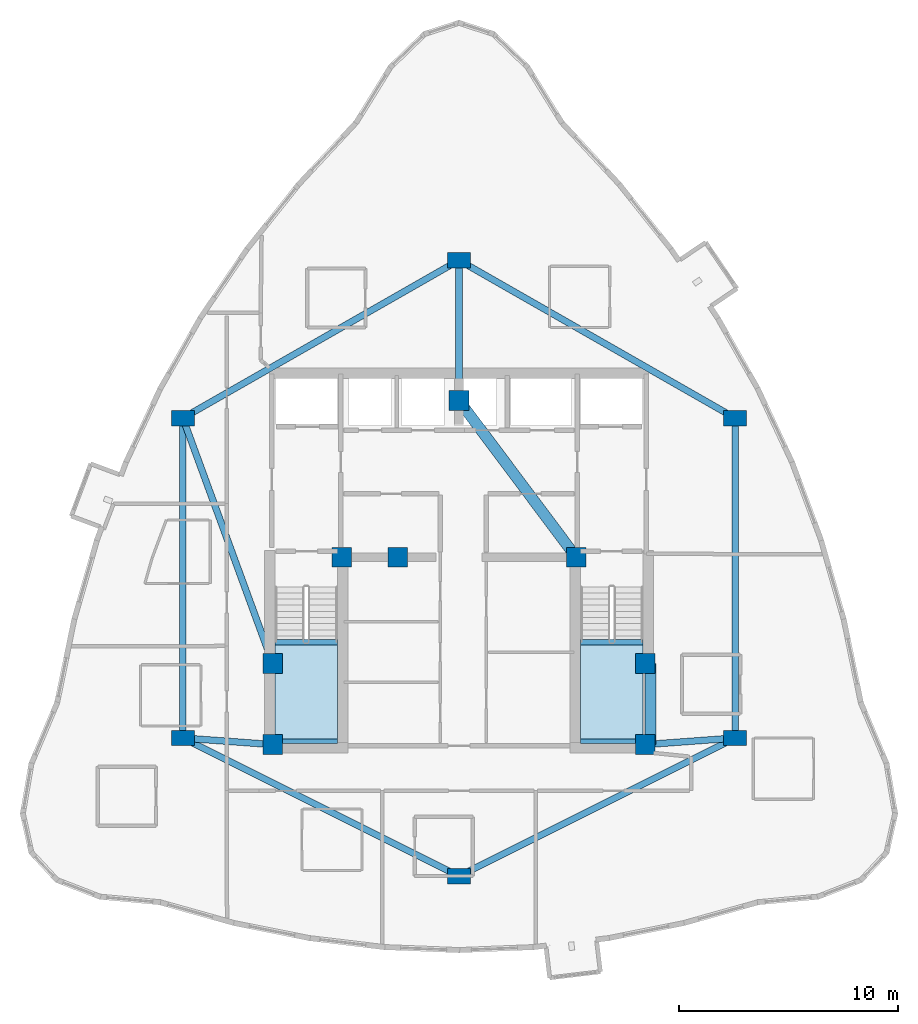
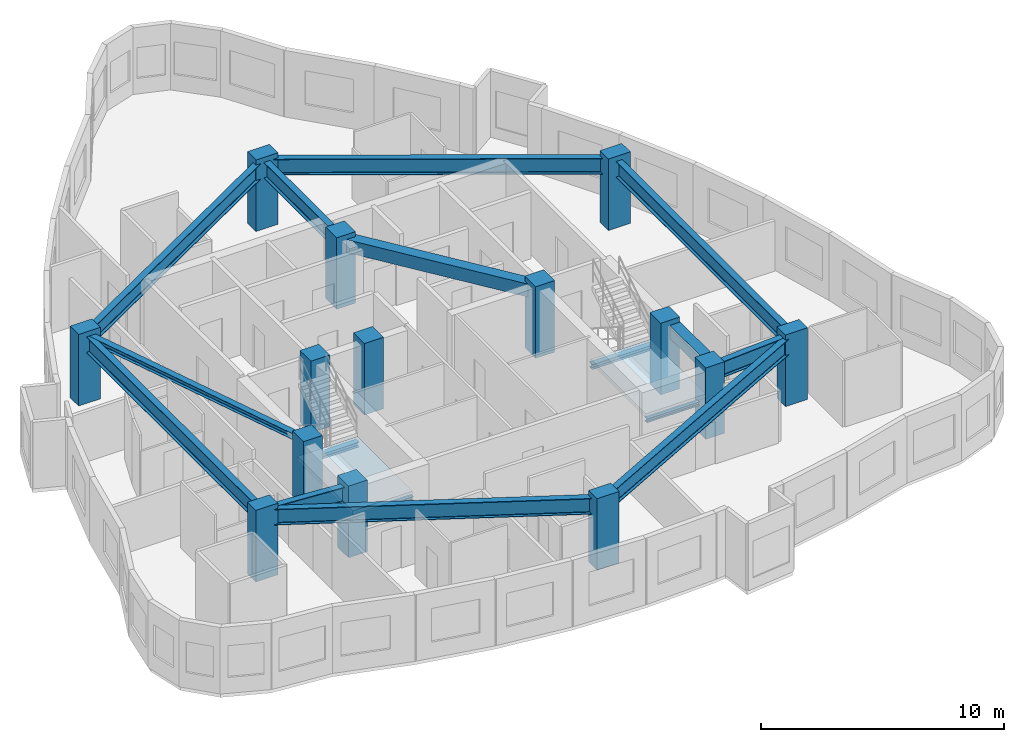
# One storey, part 1 of 9: 16 beams, 14 columns, 2 slabs, 2 elements without a shape of their own.
"""IFC4 building model written with IfcOpenShell, lengths in metres."""

from ifc_helpers import new_model, si_unit, direction, frame, origin, origin_2d, place, context, subcontext, project, spatial, polyline, rectangle, i_section, outline, extrude, material, layer, layer_set, material_profile, profile_set, type_object, element, aggregate, save


model = new_model("IFC4")

# Units and contexts
model_context = context("Model", 3, precision=1e-05, world=origin(), true_north=direction((0.0, 1.0)))
body_context = subcontext(model_context, "Body", "Model", "MODEL_VIEW")
ifc_project = project(units=[si_unit("LENGTHUNIT", "METRE"), si_unit("AREAUNIT", "SQUARE_METRE"), si_unit("VOLUMEUNIT", "CUBIC_METRE"), si_unit("PLANEANGLEUNIT", "RADIAN"), si_unit("MASSUNIT", "GRAM", prefix="KILO")], contexts=[model_context])

# Site, building, storey
site_placement = place(None, origin())
site = spatial("IfcSite", under=ifc_project, at=site_placement, CompositionType="ELEMENT")
building_placement = place(site_placement, origin())
building = spatial("IfcBuilding", under=site, at=building_placement, Name="Miruveldt Soraemaru", CompositionType="ELEMENT")
storey_placement = place(building_placement, frame((0.0, 0.0, 241.199951171875)))
storey = spatial("IfcBuildingStorey", under=building, at=storey_placement, Name="L66", CompositionType="ELEMENT", Elevation=241.199951171875)

# Columns
ifc_material_1 = material(Name="Concrete C50/60 (50 MPa)", Category="concrete")
ifc_material_profile_1 = material_profile(ifc_material_1, rectangle(XDim=0.89990234375, YDim=0.89990234375, at=origin_2d()), Name="Concrete C50/60 (50 MPa)", Category="concrete")
ifc_profile_set_1 = profile_set([ifc_material_profile_1], Name="Concrete C50/60 (50 MPa)")
column_type_1 = type_object("IfcColumnType", Name="COL-CORE-900", PredefinedType="COLUMN", material=ifc_profile_set_1)
for number, where, z_axis, x_axis, name in (
    (1, (35.5, 35.5, 0.0), (0.0, 0.0, 1.0), (1.0, 0.0, 0.0), "L66 Structural Column CC1"),
    (2, (38.64990234375, 44.050048828125, 0.0), (0.0, 0.0, 1.0), (1.0, 0.0, 0.0), "L66 Structural Column CC2"),
    (3, (52.5, 35.5, 0.0), (0.0, 0.0, 1.0), (1.0, 0.0, 0.0), "L66 Structural Column CC3"),
    (4, (52.5, 39.199951171875, 0.0), (0.0, 0.0, 1.0), (1.0, 0.0, 0.0), "L66 Structural Column CC4"),
    (5, (49.35009765625, 44.050048828125, 0.0), (0.0, 0.0, 1.0), (1.0, 0.0, 0.0), "L66 Structural Column CC5"),
    (6, (44.0, 51.199951171875, 0.0), (0.0, 0.0, 1.0), (1.0, 0.0, 0.0), "L66 Structural Column CC6"),
    (7, (35.5, 39.199951171875, 0.0), (0.0, 0.0, 1.0), (1.0, 0.0, 0.0), "L66 Structural Column CC7"),
    (8, (41.199951171875, 44.050048828125, 0.0), (0.0, 0.0, 1.0), (1.0, 0.0, 0.0), "L66 Structural Column CC8"),
):
    element("IfcColumn", number, at=place(storey_placement, frame(where, z_axis=z_axis, x_axis=x_axis)), inside=storey, type_object=column_type_1, Name=name, PredefinedType="COLUMN", context=body_context, shape_type="SweptSolid", body=[
        extrude(rectangle(XDim=0.89990234375, YDim=0.89990234375, at=origin_2d()), origin(), (0.0, 0.0, 1.0), 3.60009765625),
    ])
ifc_material_2 = material(Name="Concrete C60/75 (60 MPa)", Category="concrete")
ifc_material_profile_2 = material_profile(ifc_material_2, rectangle(XDim=1.050048828125, YDim=0.699951171875, at=origin_2d()), Name="Concrete C60/75 (60 MPa)", Category="concrete")
ifc_profile_set_2 = profile_set([ifc_material_profile_2], Name="Concrete C60/75 (60 MPa)")
column_type_2 = type_object("IfcColumnType", Name="COL-TW-Z3", PredefinedType="COLUMN", material=ifc_profile_set_2)
for number, where, z_axis, x_axis, name in (
    (9, (44.0, 57.60009765625, 0.0), (0.0, 0.0, 1.0), (1.0, 0.0, 0.0), "L66 Structural Column IR01"),
    (10, (56.60009765625, 50.39990234375, 0.0), (0.0, 0.0, 1.0), (1.0, 0.0, 0.0), "L66 Structural Column IR02"),
    (11, (56.60009765625, 35.800048828125, 0.0), (0.0, 0.0, 1.0), (1.0, 0.0, 0.0), "L66 Structural Column IR03"),
    (12, (44.0, 29.5, 0.0), (0.0, 0.0, 1.0), (1.0, 0.0, 0.0), "L66 Structural Column IR04"),
    (13, (31.39990234375, 35.800048828125, 0.0), (0.0, 0.0, 1.0), (1.0, 0.0, 0.0), "L66 Structural Column IR05"),
    (14, (31.39990234375, 50.39990234375, 0.0), (0.0, 0.0, 1.0), (1.0, 0.0, 0.0), "L66 Structural Column IR06"),
):
    element("IfcColumn", number, at=place(storey_placement, frame(where, z_axis=z_axis, x_axis=x_axis)), inside=storey, type_object=column_type_2, Name=name, PredefinedType="COLUMN", context=body_context, shape_type="SweptSolid", body=[
        extrude(rectangle(XDim=1.050048828125, YDim=0.699951171875, at=origin_2d()), origin(), (0.0, 0.0, 1.0), 3.60009765625),
    ])

# Beams
ifc_material_3 = material(Name="Steel SM355 (355 MPa)", Category="steel")
ifc_material_profile_3 = material_profile(ifc_material_3, i_section(OverallWidth=0.300048828125, OverallDepth=0.300048828125, WebThickness=0.010009765625, FlangeThickness=0.014892578125, FilletRadius=0.01806640625, at=origin_2d()), Name="Steel SM355 (355 MPa)", Category="steel")
ifc_profile_set_3 = profile_set([ifc_material_profile_3], Name="Steel SM355 (355 MPa)")
beam_type_1 = type_object("IfcBeamType", Name="BM-LNT-H300", PredefinedType="LINTEL", material=ifc_profile_set_3)
beam_1_placement = place(storey_placement, frame((31.39990234375, 50.39990234375, 3.195068359375), z_axis=(0.343770424598, -0.939053723262, 0.0), x_axis=(0.939053723262, 0.343770424598, 0.0)))
element("IfcBeam", 15, at=beam_1_placement, inside=storey, type_object=beam_type_1, Name="L66 West Lobby Lintel", PredefinedType="LINTEL", context=body_context, shape_type="SweptSolid", body=[
    extrude(i_section(OverallWidth=0.300048828125, OverallDepth=0.300048828125, WebThickness=0.010009765625, FlangeThickness=0.014892578125, FilletRadius=0.01806640625, at=origin_2d()), origin(), (0.0, 0.0, 1.0), 11.9267578125),
])
ifc_material_profile_4 = material_profile(ifc_material_1, rectangle(XDim=0.5, YDim=0.64990234375, at=origin_2d()), Name="Concrete C50/60 (50 MPa)", Category="concrete")
ifc_profile_set_4 = profile_set([ifc_material_profile_4], Name="Concrete C50/60 (50 MPa)")
beam_type_2 = type_object("IfcBeamType", Name="BM-RC-500x650", PredefinedType="BEAM", material=ifc_profile_set_4)
beam_2_placement = place(storey_placement, frame((52.72998046875, 35.5, 3.02001953125), z_axis=(0.0, 1.0, 0.0), x_axis=(-1.0, 0.0, 0.0)))
element("IfcBeam", 16, at=beam_2_placement, inside=storey, type_object=beam_type_2, Name="L66 Core Tie Beam 3", PredefinedType="BEAM", context=body_context, shape_type="SweptSolid", body=[
    extrude(rectangle(XDim=0.5, YDim=0.64990234375, at=origin_2d()), origin(), (0.0, 0.0, 1.0), 3.699951171875),
])
beam_3_placement = place(storey_placement, frame((49.35009765625, 44.050048828125, 3.02001953125), z_axis=(-0.599116023999, 0.800662219533, 0.0), x_axis=(-0.800662219533, -0.599116023999, 0.0)))
element("IfcBeam", 17, at=beam_3_placement, inside=storey, type_object=beam_type_2, Name="L66 Core Tie Beam 5", PredefinedType="BEAM", context=body_context, shape_type="SweptSolid", body=[
    extrude(rectangle(XDim=0.5, YDim=0.64990234375, at=origin_2d()), origin(), (0.0, 0.0, 1.0), 8.929931640625),
])
ifc_material_4 = material(Name="Steel S460 (460 MPa)", Category="steel")
ifc_material_profile_5 = material_profile(ifc_material_4, i_section(OverallWidth=0.300048828125, OverallDepth=0.800048828125, WebThickness=0.013916015625, FlangeThickness=0.02587890625, FilletRadius=0.028076171875, at=origin_2d()), Name="Steel S460 (460 MPa)", Category="steel")
ifc_profile_set_5 = profile_set([ifc_material_profile_5], Name="Steel S460 (460 MPa)")
beam_type_3 = type_object("IfcBeamType", Name="BM-ST-H800", PredefinedType="BEAM", material=ifc_profile_set_5)
beam_4_placement = place(storey_placement, frame((44.0, 57.60009765625, 2.945068359375), z_axis=(0.868239001029, -0.496146185203, 0.0), x_axis=(0.496146185203, 0.868239001029, 0.0)))
element("IfcBeam", 18, at=beam_4_placement, inside=storey, type_object=beam_type_3, Name="L66 Inner Ring Girder 1", PredefinedType="BEAM", context=body_context, shape_type="SweptSolid", body=[
    extrude(i_section(OverallWidth=0.300048828125, OverallDepth=0.800048828125, WebThickness=0.013916015625, FlangeThickness=0.02587890625, FilletRadius=0.028076171875, at=origin_2d()), origin(), (0.0, 0.0, 1.0), 14.51220703125),
])
beam_5_placement = place(storey_placement, frame((44.0, 51.199951171875, 2.945068359375), z_axis=(0.0, 1.0, 0.0), x_axis=(-1.0, 0.0, 0.0)))
element("IfcBeam", 19, at=beam_5_placement, inside=storey, type_object=beam_type_3, Name="L66 Core-to-Inner Radial Girder 1", PredefinedType="BEAM", context=body_context, shape_type="SweptSolid", body=[
    extrude(i_section(OverallWidth=0.300048828125, OverallDepth=0.800048828125, WebThickness=0.013916015625, FlangeThickness=0.02587890625, FilletRadius=0.028076171875, at=origin_2d()), origin(), (0.0, 0.0, 1.0), 6.400146484375),
])
beam_6_placement = place(storey_placement, frame((56.60009765625, 50.39990234375, 2.945068359375), z_axis=(0.0, -1.0, 0.0), x_axis=(1.0, 0.0, 0.0)))
element("IfcBeam", 20, at=beam_6_placement, inside=storey, type_object=beam_type_3, Name="L66 Inner Ring Girder 2", PredefinedType="BEAM", context=body_context, shape_type="SweptSolid", body=[
    extrude(i_section(OverallWidth=0.300048828125, OverallDepth=0.800048828125, WebThickness=0.013916015625, FlangeThickness=0.02587890625, FilletRadius=0.028076171875, at=origin_2d()), origin(), (0.0, 0.0, 1.0), 14.599853515625),
])
beam_7_placement = place(storey_placement, frame((56.60009765625, 35.800048828125, 2.945068359375), z_axis=(-0.894427191, -0.4472135955, 0.0), x_axis=(0.4472135955, -0.894427191, 0.0)))
element("IfcBeam", 21, at=beam_7_placement, inside=storey, type_object=beam_type_3, Name="L66 Inner Ring Girder 3", PredefinedType="BEAM", context=body_context, shape_type="SweptSolid", body=[
    extrude(i_section(OverallWidth=0.300048828125, OverallDepth=0.800048828125, WebThickness=0.013916015625, FlangeThickness=0.02587890625, FilletRadius=0.028076171875, at=origin_2d()), origin(), (0.0, 0.0, 1.0), 14.08740234375),
])
beam_8_placement = place(storey_placement, frame((52.5, 35.5, 2.945068359375), z_axis=(0.997332985605, 0.072985723431, 0.0), x_axis=(-0.072985723431, 0.997332985605, 0.0)))
element("IfcBeam", 22, at=beam_8_placement, inside=storey, type_object=beam_type_3, Name="L66 Core-to-Inner Radial Girder 3", PredefinedType="BEAM", context=body_context, shape_type="SweptSolid", body=[
    extrude(i_section(OverallWidth=0.300048828125, OverallDepth=0.800048828125, WebThickness=0.013916015625, FlangeThickness=0.02587890625, FilletRadius=0.028076171875, at=origin_2d()), origin(), (0.0, 0.0, 1.0), 4.111083984375),
])
beam_9_placement = place(storey_placement, frame((44.0, 29.5, 2.945068359375), z_axis=(-0.894427191, 0.4472135955, 0.0), x_axis=(-0.4472135955, -0.894427191, 0.0)))
element("IfcBeam", 23, at=beam_9_placement, inside=storey, type_object=beam_type_3, Name="L66 Inner Ring Girder 4", PredefinedType="BEAM", context=body_context, shape_type="SweptSolid", body=[
    extrude(i_section(OverallWidth=0.300048828125, OverallDepth=0.800048828125, WebThickness=0.013916015625, FlangeThickness=0.02587890625, FilletRadius=0.028076171875, at=origin_2d()), origin(), (0.0, 0.0, 1.0), 14.08740234375),
])
beam_10_placement = place(storey_placement, frame((31.39990234375, 35.800048828125, 2.945068359375), z_axis=(0.0, 1.0, 0.0), x_axis=(-1.0, 0.0, 0.0)))
element("IfcBeam", 24, at=beam_10_placement, inside=storey, type_object=beam_type_3, Name="L66 Inner Ring Girder 5", PredefinedType="BEAM", context=body_context, shape_type="SweptSolid", body=[
    extrude(i_section(OverallWidth=0.300048828125, OverallDepth=0.800048828125, WebThickness=0.013916015625, FlangeThickness=0.02587890625, FilletRadius=0.028076171875, at=origin_2d()), origin(), (0.0, 0.0, 1.0), 14.599853515625),
])
beam_11_placement = place(storey_placement, frame((35.5, 35.5, 2.945068359375), z_axis=(-0.997332985605, 0.072985723431, 0.0), x_axis=(-0.072985723431, -0.997332985605, 0.0)))
element("IfcBeam", 25, at=beam_11_placement, inside=storey, type_object=beam_type_3, Name="L66 Core-to-Inner Radial Girder 5", PredefinedType="BEAM", context=body_context, shape_type="SweptSolid", body=[
    extrude(i_section(OverallWidth=0.300048828125, OverallDepth=0.800048828125, WebThickness=0.013916015625, FlangeThickness=0.02587890625, FilletRadius=0.028076171875, at=origin_2d()), origin(), (0.0, 0.0, 1.0), 4.111083984375),
])
beam_12_placement = place(storey_placement, frame((31.39990234375, 50.39990234375, 2.945068359375), z_axis=(0.868239001029, 0.496146185203, 0.0), x_axis=(-0.496146185203, 0.868239001029, 0.0)))
element("IfcBeam", 26, at=beam_12_placement, inside=storey, type_object=beam_type_3, Name="L66 Inner Ring Girder 6", PredefinedType="BEAM", context=body_context, shape_type="SweptSolid", body=[
    extrude(i_section(OverallWidth=0.300048828125, OverallDepth=0.800048828125, WebThickness=0.013916015625, FlangeThickness=0.02587890625, FilletRadius=0.028076171875, at=origin_2d()), origin(), (0.0, 0.0, 1.0), 14.51220703125),
])
ifc_material_profile_6 = material_profile(ifc_material_3, i_section(OverallWidth=0.199951171875, OverallDepth=0.199951171875, WebThickness=0.008056640625, FlangeThickness=0.011962890625, FilletRadius=0.012939453125, at=origin_2d()), Name="Steel SM355 (355 MPa)", Category="steel")
ifc_profile_set_6 = profile_set([ifc_material_profile_6], Name="Steel SM355 (355 MPa)")
beam_type_4 = type_object("IfcBeamType", Name="BM-ST-LND200", PredefinedType="BEAM", material=ifc_profile_set_6)
for number, where, z_axis, x_axis, name in (
    (27, (35.60009765625, 35.64990234375, 1.5), (1.0, 0.0, 0.0), (0.0, 1.0, 0.0), "L66 ST1 Landing End Beam 1B"),
    (28, (49.550048828125, 35.64990234375, 1.5), (1.0, 0.0, 0.0), (0.0, 1.0, 0.0), "L66 ST2 Landing End Beam 1B"),
):
    element("IfcBeam", number, at=place(storey_placement, frame(where, z_axis=z_axis, x_axis=x_axis)), inside=storey, type_object=beam_type_4, Name=name, PredefinedType="BEAM", context=body_context, shape_type="SweptSolid", body=[
        extrude(i_section(OverallWidth=0.199951171875, OverallDepth=0.199951171875, WebThickness=0.008056640625, FlangeThickness=0.011962890625, FilletRadius=0.012939453125, at=origin_2d()), origin(), (0.0, 0.0, 1.0), 2.849853515625),
    ])
ifc_material_profile_7 = material_profile(ifc_material_3, i_section(OverallWidth=0.25, OverallDepth=0.25, WebThickness=0.009033203125, FlangeThickness=0.013916015625, FilletRadius=0.01611328125, at=origin_2d()), Name="Steel SM355 (355 MPa)", Category="steel")
ifc_profile_set_7 = profile_set([ifc_material_profile_7], Name="Steel SM355 (355 MPa)")
beam_type_5 = type_object("IfcBeamType", Name="BM-ST-LND250", PredefinedType="BEAM", material=ifc_profile_set_7)
for number, where, z_axis, x_axis, name in (
    (29, (35.60009765625, 40.179931640625, 1.47509765625), (1.0, 0.0, 0.0), (0.0, 1.0, 0.0), "L66 ST1 Landing Support Beam 1A"),
    (30, (49.550048828125, 40.179931640625, 1.47509765625), (1.0, 0.0, 0.0), (0.0, 1.0, 0.0), "L66 ST2 Landing Support Beam 1A"),
):
    element("IfcBeam", number, at=place(storey_placement, frame(where, z_axis=z_axis, x_axis=x_axis)), inside=storey, type_object=beam_type_5, Name=name, PredefinedType="BEAM", context=body_context, shape_type="SweptSolid", body=[
        extrude(i_section(OverallWidth=0.25, OverallDepth=0.25, WebThickness=0.009033203125, FlangeThickness=0.013916015625, FilletRadius=0.01611328125, at=origin_2d()), origin(), (0.0, 0.0, 1.0), 2.849853515625),
    ])

# Stair, slab
ifc_material_5 = material(Name="Concrete C40/50 (40 MPa)", Category="concrete")
stair_type = type_object("IfcStairType", Name="STAIR-DL-360", PredefinedType="HALF_TURN_STAIR", material=ifc_material_5)
stair_1_placement = place(storey_placement, origin())
stair_1 = element("IfcStair", 31, at=stair_1_placement, inside=storey, type_object=stair_type, Name="L66 Protected Exit Stair ST-1", PredefinedType="HALF_TURN_STAIR")
ifc_layer = layer(ifc_material_5, 0.199951171875, Name="Concrete C40/50 (40 MPa)", Category="concrete")
ifc_layer_set = layer_set([ifc_layer], Name="Concrete C40/50 (40 MPa)")
slab_type = type_object("IfcSlabType", Name="SLAB-LAND-200", PredefinedType="LANDING", material=ifc_layer_set)
slab_1_placement = place(storey_placement, frame((0.0, 0.0, 1.60009765625)))
slab_1 = element("IfcSlab", 32, at=slab_1_placement, type_object=slab_type, Name="ST-1 landing 1", PredefinedType="LANDING", context=body_context, shape_type="SweptSolid", body=[
    extrude(outline(polyline([(35.60009765625, 40.197998046875), (35.60009765625, 35.64990234375), (38.449951171875, 35.64990234375), (38.449951171875, 40.197998046875), (35.60009765625, 40.197998046875)])), origin(), (0.0, 0.0, 1.0), 0.199951171875),
])
aggregate(stair_1, [slab_1])

stair_2_placement = place(storey_placement, origin())
stair_2 = element("IfcStair", 33, at=stair_2_placement, inside=storey, type_object=stair_type, Name="L66 Protected Exit Stair ST-2", PredefinedType="HALF_TURN_STAIR")
slab_2_placement = place(storey_placement, frame((0.0, 0.0, 1.60009765625)))
slab_2 = element("IfcSlab", 34, at=slab_2_placement, type_object=slab_type, Name="ST-2 landing 1", PredefinedType="LANDING", context=body_context, shape_type="SweptSolid", body=[
    extrude(outline(polyline([(49.550048828125, 40.197998046875), (49.550048828125, 35.64990234375), (52.39990234375, 35.64990234375), (52.39990234375, 40.197998046875), (49.550048828125, 40.197998046875)])), origin(), (0.0, 0.0, 1.0), 0.199951171875),
])
aggregate(stair_2, [slab_2])

save(model, "model.ifc")
